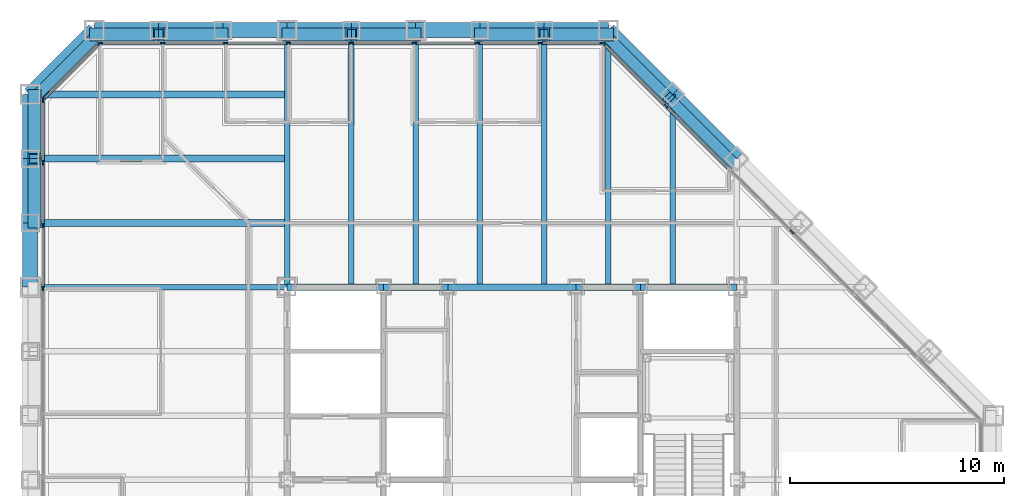
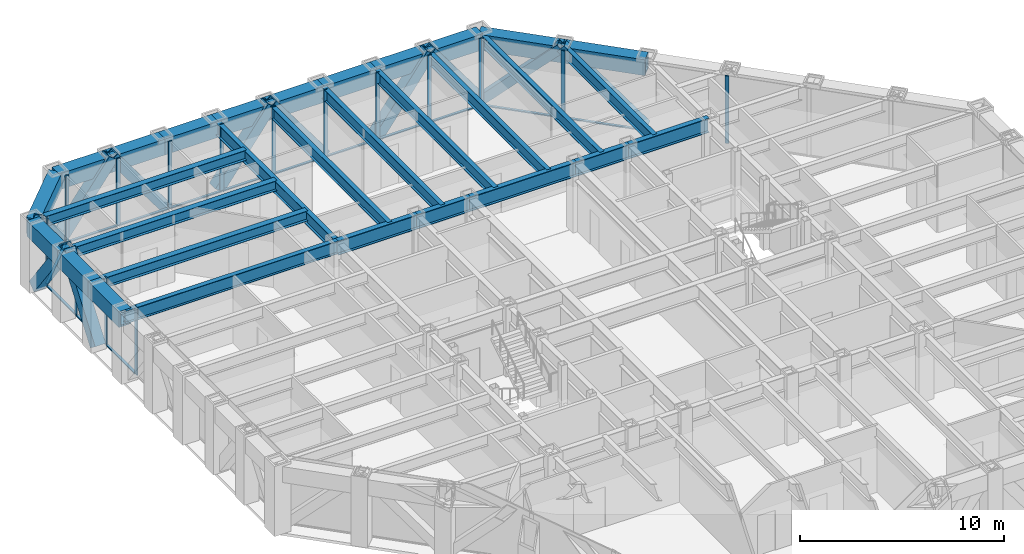
# One storey, part 7 of 17: 43 members, 30 beams, 4 elements without a shape of their own.
"""IFC4 building model written with IfcOpenShell, lengths in metres."""

from ifc_helpers import new_model, si_unit, direction, frame, origin, origin_2d, place, context, subcontext, project, spatial, rectangle, hollow_rectangle, i_section, extrude, material, layer, layer_set, material_profile, profile_set, type_object, element, aggregate, save


model = new_model("IFC4")

# Units and contexts
model_context = context("Model", 3, precision=1e-05, world=origin(), true_north=direction((0.0, 1.0)))
body_context = subcontext(model_context, "Body", "Model", "MODEL_VIEW")
ifc_project = project(units=[si_unit("LENGTHUNIT", "METRE"), si_unit("AREAUNIT", "SQUARE_METRE"), si_unit("VOLUMEUNIT", "CUBIC_METRE"), si_unit("PLANEANGLEUNIT", "RADIAN"), si_unit("MASSUNIT", "GRAM", prefix="KILO")], contexts=[model_context])

# Site, building, storey
site_placement = place(None, origin())
site = spatial("IfcSite", under=ifc_project, at=site_placement, CompositionType="ELEMENT")
building_placement = place(site_placement, origin())
building = spatial("IfcBuilding", under=site, at=building_placement, Name="Chuquiago Exchange Tower", CompositionType="ELEMENT")
storey_placement = place(building_placement, frame((0.0, 0.0, 165.60009765625)))
storey = spatial("IfcBuildingStorey", under=building, at=storey_placement, Name="L36", CompositionType="ELEMENT", Elevation=165.60009765625)

# Beams
ifc_material_1 = material(Name="Steel ASTM A992", Category="steel")
ifc_material_profile_1 = material_profile(ifc_material_1, i_section(OverallWidth=0.25390625, OverallDepth=0.683349609375, WebThickness=0.012451171875, FlangeThickness=0.018798828125, at=origin_2d()), Name="W27X94")
ifc_profile_set_1 = profile_set([ifc_material_profile_1], Name="Steel ASTM A992")
beam_type_1 = type_object("IfcBeamType", Name="B1 W27X94", PredefinedType="BEAM", material=ifc_profile_set_1)
for number, where, z_axis, x_axis, name in (
    (1, (15.0, 33.0, 3.6982421875), (0.0, 1.0, 0.0), (-1.0, 0.0, 0.0), "FB-L37-infill-15_33-15_45-0"),
    (2, (18.0, 33.0, 3.6982421875), (0.0, 1.0, 0.0), (-1.0, 0.0, 0.0), "FB-L37-infill-18_33-18_45-0"),
    (3, (21.0, 33.0, 3.6982421875), (0.0, 1.0, 0.0), (-1.0, 0.0, 0.0), "FB-L37-infill-21_33-21_45-0"),
    (4, (24.0, 33.0, 3.6982421875), (0.0, 1.0, 0.0), (-1.0, 0.0, 0.0), "FB-L37-infill-24_33-24_45-0"),
    (5, (27.0, 33.0, 3.6982421875), (0.0, 1.0, 0.0), (-1.0, 0.0, 0.0), "FB-L37-infill-27_33-27_45-0"),
):
    element("IfcBeam", number, at=place(storey_placement, frame(where, z_axis=z_axis, x_axis=x_axis)), inside=storey, type_object=beam_type_1, Name=name, PredefinedType="BEAM", context=body_context, shape_type="SweptSolid", body=[
        extrude(i_section(OverallWidth=0.25390625, OverallDepth=0.683349609375, WebThickness=0.012451171875, FlangeThickness=0.018798828125, at=origin_2d()), origin(), (0.0, 0.0, 1.0), 12.0),
    ])
beam_1_placement = place(storey_placement, frame((30.0, 33.0, 3.6982421875), z_axis=(0.0, 1.0, 0.0), x_axis=(-1.0, 0.0, 0.0)))
element("IfcBeam", 6, at=beam_1_placement, inside=storey, type_object=beam_type_1, Name="FB-L37-infill-30_33-30_42-0", PredefinedType="BEAM", context=body_context, shape_type="SweptSolid", body=[
    extrude(i_section(OverallWidth=0.25390625, OverallDepth=0.683349609375, WebThickness=0.012451171875, FlangeThickness=0.018798828125, at=origin_2d()), origin(), (0.0, 0.0, 1.0), 9.0),
])
ifc_material_2 = material(Name="Steel ASTM A992", Category="steel")
ifc_material_profile_2 = material_profile(ifc_material_2, i_section(OverallWidth=0.3251953125, OverallDepth=0.612060546875, WebThickness=0.0126953125, FlangeThickness=0.01904296875, at=origin_2d()), Name="W24X104")
ifc_profile_set_2 = profile_set([ifc_material_profile_2], Name="Steel ASTM A992")
beam_type_2 = type_object("IfcBeamType", Name="B2 W24X104", PredefinedType="BEAM", material=ifc_profile_set_2)
for number, where, z_axis, x_axis, name in (
    (7, (12.0, 36.0, 3.73388671875), (-1.0, 0.0, 0.0), (0.0, -1.0, 0.0), "FB-L37-corner-12_36--0_36-0"),
    (8, (12.0, 39.0, 3.73388671875), (-1.0, 0.0, 0.0), (0.0, -1.0, 0.0), "FB-L37-corner-12_39--0_39-0"),
    (9, (12.0, 42.0, 3.73388671875), (-1.0, 0.0, 0.0), (0.0, -1.0, 0.0), "FB-L37-corner-12_42--0_42-0"),
):
    element("IfcBeam", number, at=place(storey_placement, frame(where, z_axis=z_axis, x_axis=x_axis)), inside=storey, type_object=beam_type_2, Name=name, PredefinedType="BEAM", context=body_context, shape_type="SweptSolid", body=[
        extrude(i_section(OverallWidth=0.3251953125, OverallDepth=0.612060546875, WebThickness=0.0126953125, FlangeThickness=0.01904296875, at=origin_2d()), origin(), (0.0, 0.0, 1.0), 12.0),
    ])
ifc_material_3 = material(Name="Steel ASTM A992", Category="steel")
ifc_material_profile_3 = material_profile(ifc_material_3, i_section(OverallWidth=0.2919921875, OverallDepth=0.8583984375, WebThickness=0.01708984375, FlangeThickness=0.031005859375, at=origin_2d()), Name="W33X169")
ifc_profile_set_3 = profile_set([ifc_material_profile_3], Name="Steel ASTM A992")
beam_type_3 = type_object("IfcBeamType", Name="B3 W33X169", PredefinedType="BEAM", material=ifc_profile_set_3)
beam_2_placement = place(storey_placement, frame((12.0, 33.0, 3.610595703125), z_axis=(1.0, 0.0, 0.0), x_axis=(0.0, 1.0, 0.0)))
element("IfcBeam", 10, at=beam_2_placement, inside=storey, type_object=beam_type_3, Name="CB-L37-12_33-16.5_33", PredefinedType="BEAM", context=body_context, shape_type="SweptSolid", body=[
    extrude(i_section(OverallWidth=0.2919921875, OverallDepth=0.8583984375, WebThickness=0.01708984375, FlangeThickness=0.031005859375, at=origin_2d()), origin(), (0.0, 0.0, 1.0), 4.5),
])
beam_3_placement = place(storey_placement, frame((16.5, 33.0, 3.610595703125), z_axis=(1.0, 0.0, 0.0), x_axis=(0.0, 1.0, 0.0)))
element("IfcBeam", 11, at=beam_3_placement, inside=storey, type_object=beam_type_3, Name="CB-L37-16.5_33-19.5_33", PredefinedType="BEAM", context=body_context, shape_type="SweptSolid", body=[
    extrude(i_section(OverallWidth=0.2919921875, OverallDepth=0.8583984375, WebThickness=0.01708984375, FlangeThickness=0.031005859375, at=origin_2d()), origin(), (0.0, 0.0, 1.0), 3.0),
])
beam_4_placement = place(storey_placement, frame((19.5, 33.0, 3.610595703125), z_axis=(1.0, 0.0, 0.0), x_axis=(0.0, 1.0, 0.0)))
element("IfcBeam", 12, at=beam_4_placement, inside=storey, type_object=beam_type_3, Name="CB-L37-19.5_33-25.5_33", PredefinedType="BEAM", context=body_context, shape_type="SweptSolid", body=[
    extrude(i_section(OverallWidth=0.2919921875, OverallDepth=0.8583984375, WebThickness=0.01708984375, FlangeThickness=0.031005859375, at=origin_2d()), origin(), (0.0, 0.0, 1.0), 6.0),
])
beam_5_placement = place(storey_placement, frame((25.5, 33.0, 3.610595703125), z_axis=(1.0, 0.0, 0.0), x_axis=(0.0, 1.0, 0.0)))
element("IfcBeam", 13, at=beam_5_placement, inside=storey, type_object=beam_type_3, Name="CB-L37-25.5_33-28.5_33", PredefinedType="BEAM", context=body_context, shape_type="SweptSolid", body=[
    extrude(i_section(OverallWidth=0.2919921875, OverallDepth=0.8583984375, WebThickness=0.01708984375, FlangeThickness=0.031005859375, at=origin_2d()), origin(), (0.0, 0.0, 1.0), 3.0),
])
beam_6_placement = place(storey_placement, frame((28.5, 33.0, 3.610595703125), z_axis=(1.0, 0.0, 0.0), x_axis=(0.0, 1.0, 0.0)))
element("IfcBeam", 14, at=beam_6_placement, inside=storey, type_object=beam_type_3, Name="CB-L37-28.5_33-33_33", PredefinedType="BEAM", context=body_context, shape_type="SweptSolid", body=[
    extrude(i_section(OverallWidth=0.2919921875, OverallDepth=0.8583984375, WebThickness=0.01708984375, FlangeThickness=0.031005859375, at=origin_2d()), origin(), (0.0, 0.0, 1.0), 4.5),
])

# Curtain wall, members
ifc_material_4 = material(Name="Aluminium curtain wall system", Category="aluminium")
ifc_layer_1 = layer(ifc_material_4, 0.22509765625)
ifc_layer_set_1 = layer_set([ifc_layer_1], Name="CW2 office curtain wall")
curtain_wall_type_1 = type_object("IfcCurtainWallType", Name="CW2 office curtain wall", PredefinedType="NOTDEFINED", material=ifc_layer_set_1)
curtain_wall_1_placement = place(storey_placement, origin())
curtain_wall_1 = element("IfcCurtainWall", 15, at=curtain_wall_1_placement, inside=storey, type_object=curtain_wall_type_1, Name="CW2 curtain wall L36", PredefinedType="NOTDEFINED")
ifc_material_5 = material(Name="Aluminium mullion, pale anodised", Category="aluminium")
ifc_material_profile_4 = material_profile(ifc_material_5, rectangle(XDim=0.06494140625, YDim=0.22509765625, at=origin_2d()), Name="AL 65x225")
ifc_profile_set_4 = profile_set([ifc_material_profile_4], Name="Aluminium mullion, pale anodised")
member_type_1 = type_object("IfcMemberType", Name="CW2-M mullion 65x225", PredefinedType="MULLION", material=ifc_profile_set_4)
member_1_placement = place(storey_placement, frame((26.718994140625, 44.39990234375, 0.0), z_axis=(0.0, 0.0, 1.0), x_axis=(0.0, -1.0, 0.0)))
member_1 = element("IfcMember", 16, at=member_1_placement, type_object=member_type_1, Name="CW2 mullion 1", PredefinedType="MULLION", context=body_context, shape_type="SweptSolid", body=[
    extrude(rectangle(XDim=0.06494140625, YDim=0.22509765625, at=origin_2d()), origin(), (0.0, 0.0, 1.0), 4.039794921875),
])
member_2_placement = place(storey_placement, frame((23.813720703125, 44.39990234375, 0.0), z_axis=(0.0, 0.0, 1.0), x_axis=(0.0, -1.0, 0.0)))
member_2 = element("IfcMember", 17, at=member_2_placement, type_object=member_type_1, Name="CW2 mullion 2", PredefinedType="MULLION", context=body_context, shape_type="SweptSolid", body=[
    extrude(rectangle(XDim=0.06494140625, YDim=0.22509765625, at=origin_2d()), origin(), (0.0, 0.0, 1.0), 4.039794921875),
])
member_3_placement = place(storey_placement, frame((20.875732421875, 44.39990234375, 0.0), z_axis=(0.0, 0.0, 1.0), x_axis=(0.0, -1.0, 0.0)))
member_3 = element("IfcMember", 18, at=member_3_placement, type_object=member_type_1, Name="CW2 mullion 3", PredefinedType="MULLION", context=body_context, shape_type="SweptSolid", body=[
    extrude(rectangle(XDim=0.06494140625, YDim=0.22509765625, at=origin_2d()), origin(), (0.0, 0.0, 1.0), 4.039794921875),
])
member_4_placement = place(storey_placement, frame((17.93798828125, 44.39990234375, 0.0), z_axis=(0.0, 0.0, 1.0), x_axis=(0.0, -1.0, 0.0)))
member_4 = element("IfcMember", 19, at=member_4_placement, type_object=member_type_1, Name="CW2 mullion 4", PredefinedType="MULLION", context=body_context, shape_type="SweptSolid", body=[
    extrude(rectangle(XDim=0.06494140625, YDim=0.22509765625, at=origin_2d()), origin(), (0.0, 0.0, 1.0), 4.039794921875),
])
member_5_placement = place(storey_placement, frame((15.0, 44.39990234375, 0.0), z_axis=(0.0, 0.0, 1.0), x_axis=(0.0, -1.0, 0.0)))
member_5 = element("IfcMember", 20, at=member_5_placement, type_object=member_type_1, Name="CW2 mullion 5", PredefinedType="MULLION", context=body_context, shape_type="SweptSolid", body=[
    extrude(rectangle(XDim=0.06494140625, YDim=0.22509765625, at=origin_2d()), origin(), (0.0, 0.0, 1.0), 4.039794921875),
])
member_6_placement = place(storey_placement, frame((12.06201171875, 44.39990234375, 0.0), z_axis=(0.0, 0.0, 1.0), x_axis=(0.0, -1.0, 0.0)))
member_6 = element("IfcMember", 21, at=member_6_placement, type_object=member_type_1, Name="CW2 mullion 6", PredefinedType="MULLION", context=body_context, shape_type="SweptSolid", body=[
    extrude(rectangle(XDim=0.06494140625, YDim=0.22509765625, at=origin_2d()), origin(), (0.0, 0.0, 1.0), 4.039794921875),
])
member_7_placement = place(storey_placement, frame((9.124267578125, 44.39990234375, 0.0), z_axis=(0.0, 0.0, 1.0), x_axis=(0.0, -1.0, 0.0)))
member_7 = element("IfcMember", 22, at=member_7_placement, type_object=member_type_1, Name="CW2 mullion 7", PredefinedType="MULLION", context=body_context, shape_type="SweptSolid", body=[
    extrude(rectangle(XDim=0.06494140625, YDim=0.22509765625, at=origin_2d()), origin(), (0.0, 0.0, 1.0), 4.039794921875),
])
member_8_placement = place(storey_placement, frame((6.186279296875, 44.39990234375, 0.0), z_axis=(0.0, 0.0, 1.0), x_axis=(0.0, -1.0, 0.0)))
member_8 = element("IfcMember", 23, at=member_8_placement, type_object=member_type_1, Name="CW2 mullion 8", PredefinedType="MULLION", context=body_context, shape_type="SweptSolid", body=[
    extrude(rectangle(XDim=0.06494140625, YDim=0.22509765625, at=origin_2d()), origin(), (0.0, 0.0, 1.0), 4.039794921875),
])
member_9_placement = place(storey_placement, frame((3.281005859375, 44.39990234375, 0.0), z_axis=(0.0, 0.0, 1.0), x_axis=(0.0, -1.0, 0.0)))
member_9 = element("IfcMember", 24, at=member_9_placement, type_object=member_type_1, Name="CW2 mullion 9", PredefinedType="MULLION", context=body_context, shape_type="SweptSolid", body=[
    extrude(rectangle(XDim=0.06494140625, YDim=0.22509765625, at=origin_2d()), origin(), (0.0, 0.0, 1.0), 4.039794921875),
])

curtain_wall_2_placement = place(storey_placement, origin())
curtain_wall_2 = element("IfcCurtainWall", 25, at=curtain_wall_2_placement, inside=storey, type_object=curtain_wall_type_1, Name="CW2 curtain wall L36", PredefinedType="NOTDEFINED")
member_10_placement = place(storey_placement, frame((0.60009765625, 41.718994140625, 0.0), z_axis=(0.0, 0.0, 1.0), x_axis=(1.0, 0.0, 0.0)))
member_10 = element("IfcMember", 26, at=member_10_placement, type_object=member_type_1, Name="CW2 mullion 1", PredefinedType="MULLION", context=body_context, shape_type="SweptSolid", body=[
    extrude(rectangle(XDim=0.06494140625, YDim=0.22509765625, at=origin_2d()), origin(), (0.0, 0.0, 1.0), 4.039794921875),
])
member_11_placement = place(storey_placement, frame((0.60009765625, 38.813720703125, 0.0), z_axis=(0.0, 0.0, 1.0), x_axis=(1.0, 0.0, 0.0)))
member_11 = element("IfcMember", 27, at=member_11_placement, type_object=member_type_1, Name="CW2 mullion 2", PredefinedType="MULLION", context=body_context, shape_type="SweptSolid", body=[
    extrude(rectangle(XDim=0.06494140625, YDim=0.22509765625, at=origin_2d()), origin(), (0.0, 0.0, 1.0), 4.039794921875),
])
member_12_placement = place(storey_placement, frame((0.60009765625, 35.875732421875, 0.0), z_axis=(0.0, 0.0, 1.0), x_axis=(1.0, 0.0, 0.0)))
member_12 = element("IfcMember", 28, at=member_12_placement, type_object=member_type_1, Name="CW2 mullion 3", PredefinedType="MULLION", context=body_context, shape_type="SweptSolid", body=[
    extrude(rectangle(XDim=0.06494140625, YDim=0.22509765625, at=origin_2d()), origin(), (0.0, 0.0, 1.0), 4.039794921875),
])
member_13_placement = place(storey_placement, frame((0.60009765625, 32.93798828125, 0.0), z_axis=(0.0, 0.0, 1.0), x_axis=(1.0, 0.0, 0.0)))
member_13 = element("IfcMember", 29, at=member_13_placement, type_object=member_type_1, Name="CW2 mullion 4", PredefinedType="MULLION", context=body_context, shape_type="SweptSolid", body=[
    extrude(rectangle(XDim=0.06494140625, YDim=0.22509765625, at=origin_2d()), origin(), (0.0, 0.0, 1.0), 4.039794921875),
])

# Member
ifc_material_6 = material(Name="Aluminium transom, pale anodised", Category="aluminium")
ifc_material_profile_5 = material_profile(ifc_material_6, rectangle(XDim=0.139892578125, YDim=0.06494140625, at=origin_2d()), Name="AL 140x65")
ifc_profile_set_5 = profile_set([ifc_material_profile_5], Name="Aluminium transom, pale anodised")
member_type_2 = type_object("IfcMemberType", Name="CW2-T transom 65x140", PredefinedType="MULLION", material=ifc_profile_set_5)
member_14_placement = place(storey_placement, frame((26.6865234375, 44.39990234375, 0.032470703125), z_axis=(-1.0, 0.0, 0.0), x_axis=(0.0, -1.0, 0.0)))
member_14 = element("IfcMember", 30, at=member_14_placement, type_object=member_type_2, Name="CW2 transom 1.1", PredefinedType="MULLION", context=body_context, shape_type="SweptSolid", body=[
    extrude(rectangle(XDim=0.139892578125, YDim=0.06494140625, at=origin_2d()), origin(), (0.0, 0.0, 1.0), 2.84033203125),
])

member_15_placement = place(storey_placement, frame((23.781005859375, 44.39990234375, 0.032470703125), z_axis=(-1.0, 0.0, 0.0), x_axis=(0.0, -1.0, 0.0)))
member_15 = element("IfcMember", 31, at=member_15_placement, type_object=member_type_2, Name="CW2 transom 2.1", PredefinedType="MULLION", context=body_context, shape_type="SweptSolid", body=[
    extrude(rectangle(XDim=0.139892578125, YDim=0.06494140625, at=origin_2d()), origin(), (0.0, 0.0, 1.0), 2.872802734375),
])

member_16_placement = place(storey_placement, frame((20.84326171875, 44.39990234375, 0.032470703125), z_axis=(-1.0, 0.0, 0.0), x_axis=(0.0, -1.0, 0.0)))
member_16 = element("IfcMember", 32, at=member_16_placement, type_object=member_type_2, Name="CW2 transom 3.1", PredefinedType="MULLION", context=body_context, shape_type="SweptSolid", body=[
    extrude(rectangle(XDim=0.139892578125, YDim=0.06494140625, at=origin_2d()), origin(), (0.0, 0.0, 1.0), 2.872802734375),
])

member_17_placement = place(storey_placement, frame((17.9052734375, 44.39990234375, 0.032470703125), z_axis=(-1.0, 0.0, 0.0), x_axis=(0.0, -1.0, 0.0)))
member_17 = element("IfcMember", 33, at=member_17_placement, type_object=member_type_2, Name="CW2 transom 4.1", PredefinedType="MULLION", context=body_context, shape_type="SweptSolid", body=[
    extrude(rectangle(XDim=0.139892578125, YDim=0.06494140625, at=origin_2d()), origin(), (0.0, 0.0, 1.0), 2.872802734375),
])

member_18_placement = place(storey_placement, frame((14.967529296875, 44.39990234375, 0.032470703125), z_axis=(-1.0, 0.0, 0.0), x_axis=(0.0, -1.0, 0.0)))
member_18 = element("IfcMember", 34, at=member_18_placement, type_object=member_type_2, Name="CW2 transom 5.1", PredefinedType="MULLION", context=body_context, shape_type="SweptSolid", body=[
    extrude(rectangle(XDim=0.139892578125, YDim=0.06494140625, at=origin_2d()), origin(), (0.0, 0.0, 1.0), 2.872802734375),
])

member_19_placement = place(storey_placement, frame((12.029541015625, 44.39990234375, 0.032470703125), z_axis=(-1.0, 0.0, 0.0), x_axis=(0.0, -1.0, 0.0)))
member_19 = element("IfcMember", 35, at=member_19_placement, type_object=member_type_2, Name="CW2 transom 6.1", PredefinedType="MULLION", context=body_context, shape_type="SweptSolid", body=[
    extrude(rectangle(XDim=0.139892578125, YDim=0.06494140625, at=origin_2d()), origin(), (0.0, 0.0, 1.0), 2.872802734375),
])

member_20_placement = place(storey_placement, frame((9.091796875, 44.39990234375, 0.032470703125), z_axis=(-1.0, 0.0, 0.0), x_axis=(0.0, -1.0, 0.0)))
member_20 = element("IfcMember", 36, at=member_20_placement, type_object=member_type_2, Name="CW2 transom 7.1", PredefinedType="MULLION", context=body_context, shape_type="SweptSolid", body=[
    extrude(rectangle(XDim=0.139892578125, YDim=0.06494140625, at=origin_2d()), origin(), (0.0, 0.0, 1.0), 2.872802734375),
])

member_21_placement = place(storey_placement, frame((6.15380859375, 44.39990234375, 0.032470703125), z_axis=(-1.0, 0.0, 0.0), x_axis=(0.0, -1.0, 0.0)))
member_21 = element("IfcMember", 37, at=member_21_placement, type_object=member_type_2, Name="CW2 transom 8.1", PredefinedType="MULLION", context=body_context, shape_type="SweptSolid", body=[
    extrude(rectangle(XDim=0.139892578125, YDim=0.06494140625, at=origin_2d()), origin(), (0.0, 0.0, 1.0), 2.84033203125),
])

aggregate(curtain_wall_1, [member_1, member_2, member_3, member_4, member_5, member_6, member_7, member_8, member_9, member_14, member_15, member_16, member_17, member_18, member_19, member_20, member_21])

member_22_placement = place(storey_placement, frame((0.60009765625, 41.6865234375, 0.032470703125), z_axis=(0.0, -1.0, 0.0), x_axis=(1.0, 0.0, 0.0)))
member_22 = element("IfcMember", 38, at=member_22_placement, type_object=member_type_2, Name="CW2 transom 1.1", PredefinedType="MULLION", context=body_context, shape_type="SweptSolid", body=[
    extrude(rectangle(XDim=0.139892578125, YDim=0.06494140625, at=origin_2d()), origin(), (0.0, 0.0, 1.0), 2.84033203125),
])

member_23_placement = place(storey_placement, frame((0.60009765625, 38.781005859375, 0.032470703125), z_axis=(0.0, -1.0, 0.0), x_axis=(1.0, 0.0, 0.0)))
member_23 = element("IfcMember", 39, at=member_23_placement, type_object=member_type_2, Name="CW2 transom 2.1", PredefinedType="MULLION", context=body_context, shape_type="SweptSolid", body=[
    extrude(rectangle(XDim=0.139892578125, YDim=0.06494140625, at=origin_2d()), origin(), (0.0, 0.0, 1.0), 2.872802734375),
])

member_24_placement = place(storey_placement, frame((0.60009765625, 35.84326171875, 0.032470703125), z_axis=(0.0, -1.0, 0.0), x_axis=(1.0, 0.0, 0.0)))
member_24 = element("IfcMember", 40, at=member_24_placement, type_object=member_type_2, Name="CW2 transom 3.1", PredefinedType="MULLION", context=body_context, shape_type="SweptSolid", body=[
    extrude(rectangle(XDim=0.139892578125, YDim=0.06494140625, at=origin_2d()), origin(), (0.0, 0.0, 1.0), 2.872802734375),
])

aggregate(curtain_wall_2, [member_10, member_11, member_12, member_13, member_22, member_23, member_24])

# Curtain wall, members
ifc_material_7 = material(Name="Aluminium curtain wall system", Category="aluminium")
ifc_layer_2 = layer(ifc_material_7, 0.199951171875)
ifc_layer_set_2 = layer_set([ifc_layer_2], Name="CW3 facet curtain wall")
curtain_wall_type_2 = type_object("IfcCurtainWallType", Name="CW3 facet curtain wall", PredefinedType="NOTDEFINED", material=ifc_layer_set_2)
curtain_wall_3_placement = place(storey_placement, origin())
curtain_wall_3 = element("IfcCurtainWall", 41, at=curtain_wall_3_placement, inside=storey, type_object=curtain_wall_type_2, Name="CW3 curtain wall L36", PredefinedType="NOTDEFINED")
ifc_material_8 = material(Name="Aluminium mullion, pale anodised", Category="aluminium")
ifc_material_profile_6 = material_profile(ifc_material_8, rectangle(XDim=0.06494140625, YDim=0.199951171875, at=origin_2d()), Name="AL 65x200")
ifc_profile_set_6 = profile_set([ifc_material_profile_6], Name="Aluminium mullion, pale anodised")
member_type_3 = type_object("IfcMemberType", Name="CW3-M mullion 65x200", PredefinedType="MULLION", material=ifc_profile_set_6)
member_25_placement = place(storey_placement, frame((35.57568359375, 35.57568359375, 0.0), z_axis=(0.0, 0.0, 1.0), x_axis=(-0.707106781187, -0.707106781187, 0.0)))
member_25 = element("IfcMember", 42, at=member_25_placement, type_object=member_type_3, Name="CW3 mullion 4", PredefinedType="MULLION", context=body_context, shape_type="SweptSolid", body=[
    extrude(rectangle(XDim=0.06494140625, YDim=0.199951171875, at=origin_2d()), origin(), (0.0, 0.0, 1.0), 4.039794921875),
])
member_26_placement = place(storey_placement, frame((29.69287109375, 41.45849609375, 0.0), z_axis=(0.0, 0.0, 1.0), x_axis=(-0.707106781187, -0.707106781187, 0.0)))
member_26 = element("IfcMember", 43, at=member_26_placement, type_object=member_type_3, Name="CW3 mullion 6", PredefinedType="MULLION", context=body_context, shape_type="SweptSolid", body=[
    extrude(rectangle(XDim=0.06494140625, YDim=0.199951171875, at=origin_2d()), origin(), (0.0, 0.0, 1.0), 4.039794921875),
])
member_27_placement = place(storey_placement, frame((26.7744140625, 44.376953125, 0.0), z_axis=(0.0, 0.0, 1.0), x_axis=(-0.707106781187, -0.707106781187, 0.0)))
member_27 = element("IfcMember", 44, at=member_27_placement, type_object=member_type_3, Name="CW3 mullion 7", PredefinedType="MULLION", context=body_context, shape_type="SweptSolid", body=[
    extrude(rectangle(XDim=0.06494140625, YDim=0.199951171875, at=origin_2d()), origin(), (0.0, 0.0, 1.0), 4.039794921875),
])

curtain_wall_4_placement = place(storey_placement, origin())
curtain_wall_4 = element("IfcCurtainWall", 45, at=curtain_wall_4_placement, inside=storey, type_object=curtain_wall_type_2, Name="CW3 curtain wall L36", PredefinedType="NOTDEFINED")
member_28_placement = place(storey_placement, frame((3.2255859375, 44.376953125, 0.0), z_axis=(0.0, 0.0, 1.0), x_axis=(0.707106781187, -0.707106781187, 0.0)))
member_28 = element("IfcMember", 46, at=member_28_placement, type_object=member_type_3, Name="CW3 mullion 1", PredefinedType="MULLION", context=body_context, shape_type="SweptSolid", body=[
    extrude(rectangle(XDim=0.06494140625, YDim=0.199951171875, at=origin_2d()), origin(), (0.0, 0.0, 1.0), 4.039794921875),
])
member_29_placement = place(storey_placement, frame((0.623046875, 41.7744140625, 0.0), z_axis=(0.0, 0.0, 1.0), x_axis=(0.707106781187, -0.707106781187, 0.0)))
member_29 = element("IfcMember", 47, at=member_29_placement, type_object=member_type_3, Name="CW3 mullion 2", PredefinedType="MULLION", context=body_context, shape_type="SweptSolid", body=[
    extrude(rectangle(XDim=0.06494140625, YDim=0.199951171875, at=origin_2d()), origin(), (0.0, 0.0, 1.0), 4.039794921875),
])

# Member
ifc_material_9 = material(Name="Aluminium transom, pale anodised", Category="aluminium")
ifc_material_profile_7 = material_profile(ifc_material_9, rectangle(XDim=0.139892578125, YDim=0.06494140625, at=origin_2d()), Name="AL 140x65")
ifc_profile_set_7 = profile_set([ifc_material_profile_7], Name="Aluminium transom, pale anodised")
member_type_4 = type_object("IfcMemberType", Name="CW3-T transom 65x140", PredefinedType="MULLION", material=ifc_profile_set_7)
member_30_placement = place(storey_placement, frame((32.611328125, 38.5400390625, 0.032470703125), z_axis=(-0.707106781187, 0.707106781187, 0.0), x_axis=(-0.707106781187, -0.707106781187, 0.0)))
member_30 = element("IfcMember", 48, at=member_30_placement, type_object=member_type_4, Name="CW3 transom 5.1", PredefinedType="MULLION", context=body_context, shape_type="SweptSolid", body=[
    extrude(rectangle(XDim=0.139892578125, YDim=0.06494140625, at=origin_2d()), origin(), (0.0, 0.0, 1.0), 4.094970703125),
])

member_31_placement = place(storey_placement, frame((29.669921875, 41.4814453125, 0.032470703125), z_axis=(-0.707106781187, 0.707106781187, 0.0), x_axis=(-0.707106781187, -0.707106781187, 0.0)))
member_31 = element("IfcMember", 49, at=member_31_placement, type_object=member_type_4, Name="CW3 transom 6.1", PredefinedType="MULLION", context=body_context, shape_type="SweptSolid", body=[
    extrude(rectangle(XDim=0.139892578125, YDim=0.06494140625, at=origin_2d()), origin(), (0.0, 0.0, 1.0), 4.0625),
])

aggregate(curtain_wall_3, [member_25, member_26, member_27, member_30, member_31])

member_32_placement = place(storey_placement, frame((3.20263671875, 44.35400390625, 0.032470703125), z_axis=(-0.707106781187, -0.707106781187, 0.0), x_axis=(0.707106781187, -0.707106781187, 0.0)))
member_32 = element("IfcMember", 50, at=member_32_placement, type_object=member_type_4, Name="CW3 transom 1.1", PredefinedType="MULLION", context=body_context, shape_type="SweptSolid", body=[
    extrude(rectangle(XDim=0.139892578125, YDim=0.06494140625, at=origin_2d()), origin(), (0.0, 0.0, 1.0), 3.61572265625),
])

aggregate(curtain_wall_4, [member_28, member_29, member_32])

# Beams
ifc_material_10 = material(Name="Steel ASTM A992", Category="steel")
ifc_material_profile_8 = material_profile(ifc_material_10, i_section(OverallWidth=0.2666015625, OverallDepth=0.76953125, WebThickness=0.015625, FlangeThickness=0.025390625, at=origin_2d()), Name="W30X132")
ifc_profile_set_8 = profile_set([ifc_material_profile_8], Name="Steel ASTM A992")
beam_type_4 = type_object("IfcBeamType", Name="G1 W30X132", PredefinedType="BEAM", material=ifc_profile_set_8)
for number, where, z_axis, x_axis, name in (
    (51, (12.0, 33.0, 3.655029296875), (0.0, 1.0, 0.0), (-1.0, 0.0, 0.0), "FB-L37-girder-12_33-12_45-0"),
    (52, (12.0, 33.0, 3.655029296875), (-1.0, 0.0, 0.0), (0.0, -1.0, 0.0), "FB-L37-girder-12_33--0_33-0"),
):
    element("IfcBeam", number, at=place(storey_placement, frame(where, z_axis=z_axis, x_axis=x_axis)), inside=storey, type_object=beam_type_4, Name=name, PredefinedType="BEAM", context=body_context, shape_type="SweptSolid", body=[
        extrude(i_section(OverallWidth=0.2666015625, OverallDepth=0.76953125, WebThickness=0.015625, FlangeThickness=0.025390625, at=origin_2d()), origin(), (0.0, 0.0, 1.0), 12.0),
    ])

# Members
ifc_material_11 = material(Name="Steel ASTM A500 Grade C", Category="steel")
ifc_material_profile_9 = material_profile(ifc_material_11, hollow_rectangle(XDim=0.508056640625, YDim=0.508056640625, WallThickness=0.017822265625, at=origin_2d()), Name="HSS20X20X3/4")
ifc_profile_set_9 = profile_set([ifc_material_profile_9], Name="Steel ASTM A500 Grade C")
member_type_5 = type_object("IfcMemberType", Name="LB1 HSS20X20X3/4", PredefinedType="BRACE", material=ifc_profile_set_9)
for number, where, z_axis, x_axis, name in (
    (53, (32.822509765625, 38.822509765625, 0.0), (-0.51209198167, 0.51209198167, 0.689582195694), (-0.707106781187, -0.707106781187, 0.0), "LB-L36-33_39-30_42"),
    (54, (26.822509765625, 44.822509765625, 0.0), (0.51209198167, -0.51209198167, 0.689582195694), (0.707106781187, 0.707106781187, 0.0), "LB-L36-30_42-27_45"),
    (55, (3.177490234375, 44.822509765625, 0.0), (-0.51209198167, -0.51209198167, 0.689582195694), (0.707106781187, -0.707106781187, 0.0), "LB-L36-3_45-0_42"),
):
    element("IfcMember", number, at=place(storey_placement, frame(where, z_axis=z_axis, x_axis=x_axis)), inside=storey, type_object=member_type_5, Name=name, PredefinedType="BRACE", context=body_context, shape_type="SweptSolid", body=[
        extrude(hollow_rectangle(XDim=0.508056640625, YDim=0.508056640625, WallThickness=0.017822265625, at=origin_2d()), origin(), (0.0, 0.0, 1.0), 5.8583984375),
    ])
ifc_material_12 = material(Name="Steel ASTM A572 Grade 50", Category="steel")
ifc_material_profile_10 = material_profile(ifc_material_12, hollow_rectangle(XDim=0.60009765625, YDim=0.60009765625, WallThickness=0.06005859375, at=origin_2d()), Name="BOX600X600X60")
ifc_profile_set_10 = profile_set([ifc_material_profile_10], Name="Steel ASTM A572 Grade 50")
member_type_6 = type_object("IfcMemberType", Name="MB2 BOX600X600X60", PredefinedType="BRACE", material=ifc_profile_set_10)
for number, where, z_axis, x_axis, name in (
    (56, (27.0, 44.794921875, 0.0), (-0.596197146086, 0.0, 0.802838067732), (0.0, -1.0, 0.0), "Mega diagonal L36 N face"),
    (57, (21.0, 44.794921875, 0.0), (0.596197146086, 0.0, 0.802838067732), (0.0, 1.0, 0.0), "Mega diagonal L36 N face"),
    (58, (18.0, 44.794921875, 0.0), (-0.596197146086, 0.0, 0.802838067732), (0.0, -1.0, 0.0), "Mega diagonal L36 N face"),
    (59, (12.0, 44.794921875, 0.0), (0.596197146086, 0.0, 0.802838067732), (0.0, 1.0, 0.0), "Mega diagonal L36 N face"),
    (60, (9.0, 44.794921875, 0.0), (-0.596197146086, 0.0, 0.802838067732), (0.0, -1.0, 0.0), "Mega diagonal L36 N face"),
    (61, (3.0, 44.794921875, 0.0), (0.596197146086, 0.0, 0.802838067732), (0.0, 1.0, 0.0), "Mega diagonal L36 N face"),
    (62, (0.205078125, 42.0, 0.0), (0.0, -0.596197146086, 0.802838067732), (1.0, 0.0, 0.0), "Mega diagonal L36 W face"),
    (63, (0.205078125, 36.0, 0.0), (0.0, 0.596197146086, 0.802838067732), (-1.0, 0.0, 0.0), "Mega diagonal L36 W face"),
):
    element("IfcMember", number, at=place(storey_placement, frame(where, z_axis=z_axis, x_axis=x_axis)), inside=storey, type_object=member_type_6, Name=name, PredefinedType="BRACE", context=body_context, shape_type="SweptSolid", body=[
        extrude(hollow_rectangle(XDim=0.60009765625, YDim=0.60009765625, WallThickness=0.06005859375, at=origin_2d()), origin(), (0.0, 0.0, 1.0), 5.031982421875),
    ])

# Beams
ifc_material_13 = material(Name="Steel ASTM A572 Grade 50", Category="steel")
ifc_material_profile_11 = material_profile(ifc_material_13, hollow_rectangle(XDim=0.699951171875, YDim=0.949951171875, WallThickness=0.10009765625, at=origin_2d()), Name="BOX950X700X100")
ifc_profile_set_11 = profile_set([ifc_material_profile_11], Name="Steel ASTM A572 Grade 50")
beam_type_5 = type_object("IfcBeamType", Name="SP5 BOX950X700X100", PredefinedType="SPANDREL", material=ifc_profile_set_11)
for number, where, z_axis, x_axis, name in (
    (64, (33.0, 39.0, 3.56494140625), (-0.707106781187, 0.707106781187, 0.0), (-0.707106781187, -0.707106781187, 0.0), "SPB-L37-33_39-30_42"),
    (65, (30.0, 42.0, 3.56494140625), (-0.707106781187, 0.707106781187, 0.0), (-0.707106781187, -0.707106781187, 0.0), "SPB-L37-30_42-27_45"),
):
    element("IfcBeam", number, at=place(storey_placement, frame(where, z_axis=z_axis, x_axis=x_axis)), inside=storey, type_object=beam_type_5, Name=name, PredefinedType="SPANDREL", context=body_context, shape_type="SweptSolid", body=[
        extrude(hollow_rectangle(XDim=0.699951171875, YDim=0.949951171875, WallThickness=0.10009765625, at=origin_2d()), origin(), (0.0, 0.0, 1.0), 4.24267578125),
    ])
for number, where, z_axis, x_axis, name in (
    (66, (27.0, 45.0, 3.56494140625), (-1.0, 0.0, 0.0), (0.0, -1.0, 0.0), "SPB-L37-27_45-24_45"),
    (67, (24.0, 45.0, 3.56494140625), (-1.0, 0.0, 0.0), (0.0, -1.0, 0.0), "SPB-L37-24_45-21_45"),
    (68, (21.0, 45.0, 3.56494140625), (-1.0, 0.0, 0.0), (0.0, -1.0, 0.0), "SPB-L37-21_45-18_45"),
    (69, (18.0, 45.0, 3.56494140625), (-1.0, 0.0, 0.0), (0.0, -1.0, 0.0), "SPB-L37-18_45-15_45"),
    (70, (15.0, 45.0, 3.56494140625), (-1.0, 0.0, 0.0), (0.0, -1.0, 0.0), "SPB-L37-15_45-12_45"),
    (71, (12.0, 45.0, 3.56494140625), (-1.0, 0.0, 0.0), (0.0, -1.0, 0.0), "SPB-L37-12_45-9_45"),
    (72, (9.0, 45.0, 3.56494140625), (-1.0, 0.0, 0.0), (0.0, -1.0, 0.0), "SPB-L37-9_45-6_45"),
    (73, (6.0, 45.0, 3.56494140625), (-1.0, 0.0, 0.0), (0.0, -1.0, 0.0), "SPB-L37-6_45-3_45"),
):
    element("IfcBeam", number, at=place(storey_placement, frame(where, z_axis=z_axis, x_axis=x_axis)), inside=storey, type_object=beam_type_5, Name=name, PredefinedType="SPANDREL", context=body_context, shape_type="SweptSolid", body=[
        extrude(hollow_rectangle(XDim=0.699951171875, YDim=0.949951171875, WallThickness=0.10009765625, at=origin_2d()), origin(), (0.0, 0.0, 1.0), 3.0),
    ])
beam_7_placement = place(storey_placement, frame((3.0, 45.0, 3.56494140625), z_axis=(-0.707106781187, -0.707106781187, 0.0), x_axis=(0.707106781187, -0.707106781187, 0.0)))
element("IfcBeam", 74, at=beam_7_placement, inside=storey, type_object=beam_type_5, Name="SPB-L37-3_45-0_42", PredefinedType="SPANDREL", context=body_context, shape_type="SweptSolid", body=[
    extrude(hollow_rectangle(XDim=0.699951171875, YDim=0.949951171875, WallThickness=0.10009765625, at=origin_2d()), origin(), (0.0, 0.0, 1.0), 4.24267578125),
])
for number, where, z_axis, x_axis, name in (
    (75, (0.0, 42.0, 3.56494140625), (0.0, -1.0, 0.0), (1.0, 0.0, 0.0), "SPB-L37-0_42-0_39"),
    (76, (0.0, 39.0, 3.56494140625), (0.0, -1.0, 0.0), (1.0, 0.0, 0.0), "SPB-L37-0_39-0_36"),
    (77, (0.0, 36.0, 3.56494140625), (0.0, -1.0, 0.0), (1.0, 0.0, 0.0), "SPB-L37-0_36-0_33"),
):
    element("IfcBeam", number, at=place(storey_placement, frame(where, z_axis=z_axis, x_axis=x_axis)), inside=storey, type_object=beam_type_5, Name=name, PredefinedType="SPANDREL", context=body_context, shape_type="SweptSolid", body=[
        extrude(hollow_rectangle(XDim=0.699951171875, YDim=0.949951171875, WallThickness=0.10009765625, at=origin_2d()), origin(), (0.0, 0.0, 1.0), 3.0),
    ])

save(model, "model.ifc")
